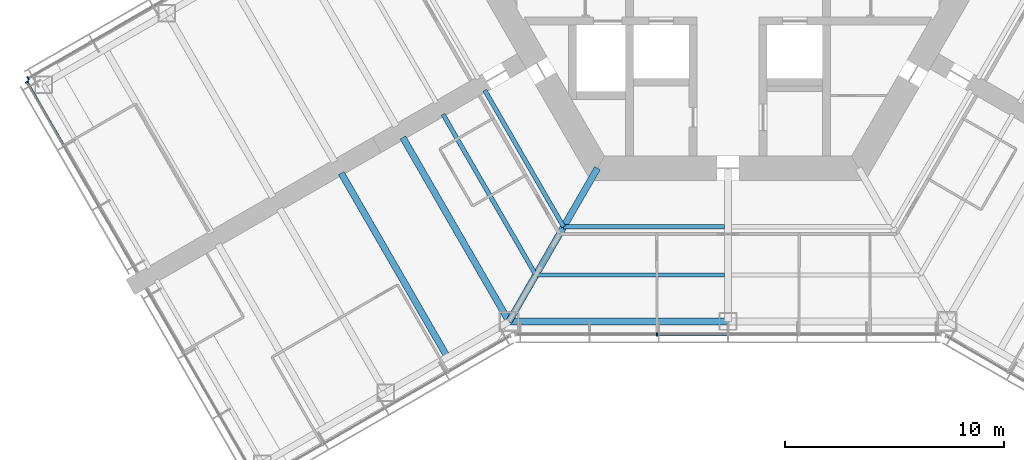
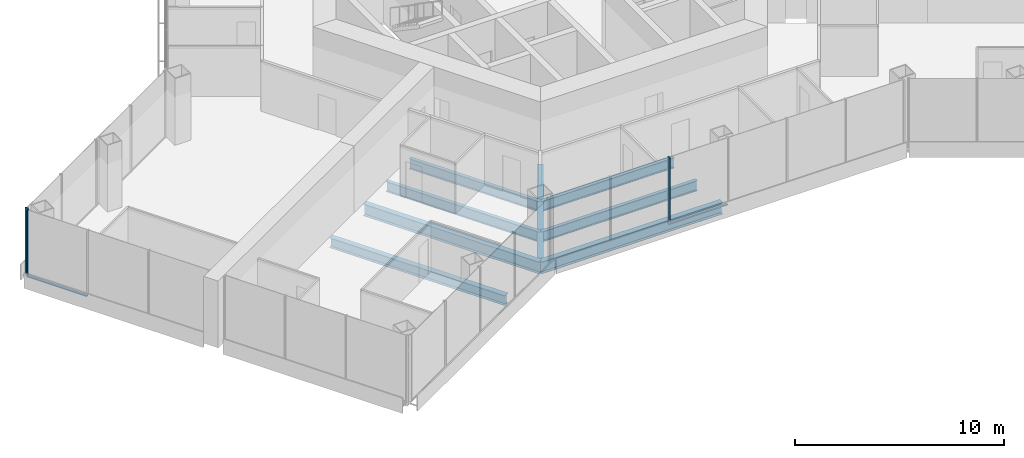
# One storey, part 3 of 19: 8 beams, 5 members, 3 elements without a shape of their own.
"""IFC4 building model written with IfcOpenShell, lengths in metres."""

from ifc_helpers import new_model, si_unit, direction, frame, origin, origin_2d, place, context, subcontext, project, spatial, rectangle, i_section, extrude, material, material_profile, profile_set, type_object, element, aggregate, save


model = new_model("IFC4")

# Units and contexts
model_context = context("Model", 3, precision=1e-05, world=origin(), true_north=direction((0.0, 1.0)))
body_context = subcontext(model_context, "Body", "Model", "MODEL_VIEW")
ifc_project = project(units=[si_unit("LENGTHUNIT", "METRE"), si_unit("AREAUNIT", "SQUARE_METRE"), si_unit("VOLUMEUNIT", "CUBIC_METRE"), si_unit("PLANEANGLEUNIT", "RADIAN"), si_unit("MASSUNIT", "GRAM", prefix="KILO")], contexts=[model_context])

# Site, building, storey
site_placement = place(None, origin())
site = spatial("IfcSite", under=ifc_project, at=site_placement, CompositionType="ELEMENT")
building_placement = place(site_placement, origin())
building = spatial("IfcBuilding", under=site, at=building_placement, Name="Kasaneha Research Tower", CompositionType="ELEMENT")
storey_placement = place(building_placement, frame((0.0, 0.0, 92.39990234375)))
storey = spatial("IfcBuildingStorey", under=building, at=storey_placement, Name="L23", CompositionType="ELEMENT", Elevation=92.39990234375)

# Beams
ifc_material_1 = material(Name="Steel SN490B", Category="steel")
ifc_material_profile_1 = material_profile(ifc_material_1, i_section(OverallWidth=0.199951171875, OverallDepth=0.60009765625, WebThickness=0.010986328125, FlangeThickness=0.01708984375, FilletRadius=0.012939453125, at=origin_2d()), Name="H-600x200x11x17")
ifc_profile_set_1 = profile_set([ifc_material_profile_1], Name="Steel SN490B")
beam_type_1 = type_object("IfcBeamType", Name="B1-3 secondary beam H-600x200x11x17", PredefinedType="JOIST", material=ifc_profile_set_1)
beam_1_placement = place(storey_placement, frame((-7.505615234375, -13.0, -0.449951171875), z_axis=(-0.499998147991, 0.86602647304, 0.0), x_axis=(-0.86602647304, -0.499998147991, 0.0)))
element("IfcBeam", 1, at=beam_1_placement, inside=storey, type_object=beam_type_1, Name="Secondary beam RS210R1 L23", PredefinedType="JOIST", context=body_context, shape_type="SweptSolid", body=[
    extrude(i_section(OverallWidth=0.199951171875, OverallDepth=0.60009765625, WebThickness=0.010986328125, FlangeThickness=0.01708984375, FilletRadius=0.012939453125, at=origin_2d()), origin(), (0.0, 0.0, 1.0), 7.20556640625),
])
beam_2_placement = place(storey_placement, frame((-8.775634765625, -15.199951171875, -0.449951171875), z_axis=(-0.500020829043, 0.866013377797, 0.0), x_axis=(-0.866013377797, -0.500020829043, 0.0)))
element("IfcBeam", 2, at=beam_2_placement, inside=storey, type_object=beam_type_1, Name="Secondary beam RS210R2 L23", PredefinedType="JOIST", context=body_context, shape_type="SweptSolid", body=[
    extrude(i_section(OverallWidth=0.199951171875, OverallDepth=0.60009765625, WebThickness=0.010986328125, FlangeThickness=0.01708984375, FilletRadius=0.012939453125, at=origin_2d()), origin(), (0.0, 0.0, 1.0), 8.475830078125),
])
beam_3_placement = place(storey_placement, frame((-7.505615234375, -13.0, -0.449951171875), z_axis=(1.0, 0.0, 0.0), x_axis=(0.0, 1.0, 0.0)))
element("IfcBeam", 3, at=beam_3_placement, inside=storey, type_object=beam_type_1, Name="Secondary beam RS270L1 L23", PredefinedType="JOIST", context=body_context, shape_type="SweptSolid", body=[
    extrude(i_section(OverallWidth=0.199951171875, OverallDepth=0.60009765625, WebThickness=0.010986328125, FlangeThickness=0.01708984375, FilletRadius=0.012939453125, at=origin_2d()), origin(), (0.0, 0.0, 1.0), 7.355712890625),
])
beam_4_placement = place(storey_placement, frame((-8.775634765625, -15.199951171875, -0.449951171875), z_axis=(1.0, 0.0, 0.0), x_axis=(0.0, 1.0, 0.0)))
element("IfcBeam", 4, at=beam_4_placement, inside=storey, type_object=beam_type_1, Name="Secondary beam RS270L2 L23", PredefinedType="JOIST", context=body_context, shape_type="SweptSolid", body=[
    extrude(i_section(OverallWidth=0.199951171875, OverallDepth=0.60009765625, WebThickness=0.010986328125, FlangeThickness=0.01708984375, FilletRadius=0.012939453125, at=origin_2d()), origin(), (0.0, 0.0, 1.0), 8.625732421875),
])
ifc_material_2 = material(Name="Steel SN490B", Category="steel")
ifc_material_profile_2 = material_profile(ifc_material_2, i_section(OverallWidth=0.300048828125, OverallDepth=0.58203125, WebThickness=0.011962890625, FlangeThickness=0.01708984375, FilletRadius=0.012939453125, at=origin_2d()), Name="H-582x300x12x17")
ifc_profile_set_2 = profile_set([ifc_material_profile_2], Name="Steel SN490B")
beam_type_2 = type_object("IfcBeamType", Name="B2-3 secondary beam H-582x300x12x17", PredefinedType="JOIST", material=ifc_profile_set_2)
beam_5_placement = place(storey_placement, frame((-12.814697265625, -18.945556640625, -0.44091796875), z_axis=(-0.499991164321, 0.866030505006, 0.0), x_axis=(-0.866030505006, -0.499991164321, 0.0)))
element("IfcBeam", 5, at=beam_5_placement, inside=storey, type_object=beam_type_2, Name="Secondary beam WBBN1 L23", PredefinedType="JOIST", context=body_context, shape_type="SweptSolid", body=[
    extrude(i_section(OverallWidth=0.300048828125, OverallDepth=0.58203125, WebThickness=0.011962890625, FlangeThickness=0.01708984375, FilletRadius=0.012939453125, at=origin_2d()), origin(), (0.0, 0.0, 1.0), 9.699951171875),
])

# Curtain wall, member
ifc_material_3 = material(Name="Glass and aluminium", Category="aluminium")
curtain_wall_type = type_object("IfcCurtainWallType", Name="Low-rise office curtain wall", PredefinedType="USERDEFINED", material=ifc_material_3)
curtain_wall_1_placement = place(storey_placement, origin())
curtain_wall_1 = element("IfcCurtainWall", 6, at=curtain_wall_1_placement, inside=storey, type_object=curtain_wall_type, Name="CW-O1 L23 run 02a", ObjectType="UNITISED CURTAIN WALL", PredefinedType="USERDEFINED")
ifc_material_4 = material(Name="Aluminium 6063-T6", Category="aluminium")
ifc_material_profile_3 = material_profile(ifc_material_4, rectangle(XDim=0.06005859375, YDim=0.159912109375, at=origin_2d()), Name="CW-O1 mullion 60x160")
ifc_profile_set_3 = profile_set([ifc_material_profile_3], Name="Aluminium 6063-T6")
member_type_1 = type_object("IfcMemberType", Name="CW-O1 mullion", PredefinedType="MULLION", material=ifc_profile_set_3)
member_1_placement = place(storey_placement, frame((-3.246337890625, -17.92041015625, 0.0), z_axis=(0.0, 0.0, 1.0), x_axis=(1.0, 0.0, 0.0)))
member_1 = element("IfcMember", 7, at=member_1_placement, type_object=member_type_1, Name="CW-O1 mullion 3", PredefinedType="MULLION", context=body_context, shape_type="SweptSolid", body=[
    extrude(rectangle(XDim=0.06005859375, YDim=0.159912109375, at=origin_2d()), origin(), (0.0, 0.0, 1.0), 3.900146484375),
])

curtain_wall_2_placement = place(storey_placement, origin())
curtain_wall_2 = element("IfcCurtainWall", 8, at=curtain_wall_2_placement, inside=storey, type_object=curtain_wall_type, Name="CW-O1 L23 run 13a", ObjectType="UNITISED CURTAIN WALL", PredefinedType="USERDEFINED")
member_2_placement = place(storey_placement, frame((-31.96533203125, -6.21533203125, 0.0), z_axis=(0.0, 0.0, 1.0), x_axis=(-0.866025411464, -0.499999986699, 0.0)))
member_2 = element("IfcMember", 9, at=member_2_placement, type_object=member_type_1, Name="CW-O1 mullion 5", PredefinedType="MULLION", context=body_context, shape_type="SweptSolid", body=[
    extrude(rectangle(XDim=0.06005859375, YDim=0.159912109375, at=origin_2d()), origin(), (0.0, 0.0, 1.0), 3.900146484375),
])
aggregate(curtain_wall_2, [member_2])

curtain_wall_3_placement = place(storey_placement, origin())
curtain_wall_3 = element("IfcCurtainWall", 10, at=curtain_wall_3_placement, inside=storey, type_object=curtain_wall_type, Name="CW-O1 L23 run 14a", ObjectType="UNITISED CURTAIN WALL", PredefinedType="USERDEFINED")
member_3_placement = place(storey_placement, frame((-32.012939453125, -6.39306640625, 0.0), z_axis=(0.0, 0.0, 1.0), x_axis=(0.500000011442, -0.866025397178, 0.0)))
member_3 = element("IfcMember", 11, at=member_3_placement, type_object=member_type_1, Name="CW-O1 mullion 1", PredefinedType="MULLION", context=body_context, shape_type="SweptSolid", body=[
    extrude(rectangle(XDim=0.06005859375, YDim=0.159912109375, at=origin_2d()), origin(), (0.0, 0.0, 1.0), 3.900146484375),
])

# Member
ifc_material_5 = material(Name="Aluminium 6063-T6", Category="aluminium")
ifc_material_profile_4 = material_profile(ifc_material_5, rectangle(XDim=0.1201171875, YDim=0.06005859375, at=origin_2d()), Name="CW-O1 transom 120x60")
ifc_profile_set_4 = profile_set([ifc_material_profile_4], Name="Aluminium 6063-T6")
member_type_2 = type_object("IfcMemberType", Name="CW-O1 transom", PredefinedType="USERDEFINED", material=ifc_profile_set_4)
member_4_placement = place(storey_placement, frame((-3.21630859375, -17.92041015625, 0.030029296875), z_axis=(1.0, 0.0, 0.0), x_axis=(0.0, 1.0, 0.0)))
member_4 = element("IfcMember", 12, at=member_4_placement, type_object=member_type_2, Name="CW-O1 transom 3", ObjectType="TRANSOM", PredefinedType="USERDEFINED", context=body_context, shape_type="SweptSolid", body=[
    extrude(rectangle(XDim=0.1201171875, YDim=0.06005859375, at=origin_2d()), origin(), (0.0, 0.0, 1.0), 3.186279296875),
])

aggregate(curtain_wall_1, [member_1, member_4])

member_5_placement = place(storey_placement, frame((-31.998046875, -6.4189453125, 0.030029296875), z_axis=(0.500025583411, -0.866010632691, 0.0), x_axis=(0.866010632691, 0.500025583411, 0.0)))
member_5 = element("IfcMember", 13, at=member_5_placement, type_object=member_type_2, Name="CW-O1 transom 1", ObjectType="TRANSOM", PredefinedType="USERDEFINED", context=body_context, shape_type="SweptSolid", body=[
    extrude(rectangle(XDim=0.1201171875, YDim=0.06005859375, at=origin_2d()), origin(), (0.0, 0.0, 1.0), 3.276611328125),
])

aggregate(curtain_wall_3, [member_3, member_5])

# Beams
ifc_material_6 = material(Name="Steel SN490B", Category="steel")
ifc_material_profile_5 = material_profile(ifc_material_6, i_section(OverallWidth=0.300048828125, OverallDepth=0.699951171875, WebThickness=0.012939453125, FlangeThickness=0.02392578125, FilletRadius=0.01806640625, at=origin_2d()), Name="H-700x300x13x24")
ifc_profile_set_5 = profile_set([ifc_material_profile_5], Name="Steel SN490B")
beam_type_3 = type_object("IfcBeamType", Name="G1-3 radial girder H-700x300x13x24", PredefinedType="BEAM", material=ifc_profile_set_5)
beam_6_placement = place(storey_placement, frame((-5.961181640625, -10.324951171875, -0.5), z_axis=(-0.49999105496, -0.866030568144, 0.0), x_axis=(0.866030568144, -0.49999105496, 0.0)))
element("IfcBeam", 14, at=beam_6_placement, inside=storey, type_object=beam_type_3, Name="Radial girder RV240 L23", PredefinedType="BEAM", context=body_context, shape_type="SweptSolid", body=[
    extrude(i_section(OverallWidth=0.300048828125, OverallDepth=0.699951171875, WebThickness=0.012939453125, FlangeThickness=0.02392578125, FilletRadius=0.01806640625, at=origin_2d()), origin(), (0.0, 0.0, 1.0), 8.077880859375),
])
ifc_material_7 = material(Name="Steel SN490B", Category="steel")
ifc_material_profile_6 = material_profile(ifc_material_7, i_section(OverallWidth=0.300048828125, OverallDepth=0.69189453125, WebThickness=0.012939453125, FlangeThickness=0.02001953125, FilletRadius=0.01806640625, at=origin_2d()), Name="H-692x300x13x20")
ifc_profile_set_6 = profile_set([ifc_material_profile_6], Name="Steel SN490B")
beam_type_4 = type_object("IfcBeamType", Name="G3-3 plate edge girder H-692x300x13x20", PredefinedType="BEAM", material=ifc_profile_set_6)
beam_7_placement = place(storey_placement, frame((-10.0, -17.320556640625, -0.495849609375), z_axis=(-0.500010041276, 0.866019606374, 0.0), x_axis=(-0.866019606374, -0.500010041276, 0.0)))
element("IfcBeam", 15, at=beam_7_placement, inside=storey, type_object=beam_type_4, Name="Plate edge girder PEBN L23", PredefinedType="BEAM", context=body_context, shape_type="SweptSolid", body=[
    extrude(i_section(OverallWidth=0.300048828125, OverallDepth=0.69189453125, WebThickness=0.012939453125, FlangeThickness=0.02001953125, FilletRadius=0.01806640625, at=origin_2d()), origin(), (0.0, 0.0, 1.0), 9.699951171875),
])
ifc_material_8 = material(Name="Steel SN490B", Category="steel")
ifc_material_profile_7 = material_profile(ifc_material_8, i_section(OverallWidth=0.300048828125, OverallDepth=0.69189453125, WebThickness=0.012939453125, FlangeThickness=0.02001953125, FilletRadius=0.01806640625, at=origin_2d()), Name="H-692x300x13x20")
ifc_profile_set_7 = profile_set([ifc_material_profile_7], Name="Steel SN490B")
beam_type_5 = type_object("IfcBeamType", Name="SB1-3 spandrel beam H-692x300x13x20", PredefinedType="SPANDREL", material=ifc_profile_set_7)
beam_8_placement = place(storey_placement, frame((-10.0, -17.320556640625, -0.495849609375), z_axis=(1.0, 0.0, 0.0), x_axis=(0.0, 1.0, 0.0)))
element("IfcBeam", 16, at=beam_8_placement, inside=storey, type_object=beam_type_5, Name="Spandrel beam SR270L L23", PredefinedType="SPANDREL", context=body_context, shape_type="SweptSolid", body=[
    extrude(i_section(OverallWidth=0.300048828125, OverallDepth=0.69189453125, WebThickness=0.012939453125, FlangeThickness=0.02001953125, FilletRadius=0.01806640625, at=origin_2d()), origin(), (0.0, 0.0, 1.0), 10.0),
])

save(model, "model.ifc")
